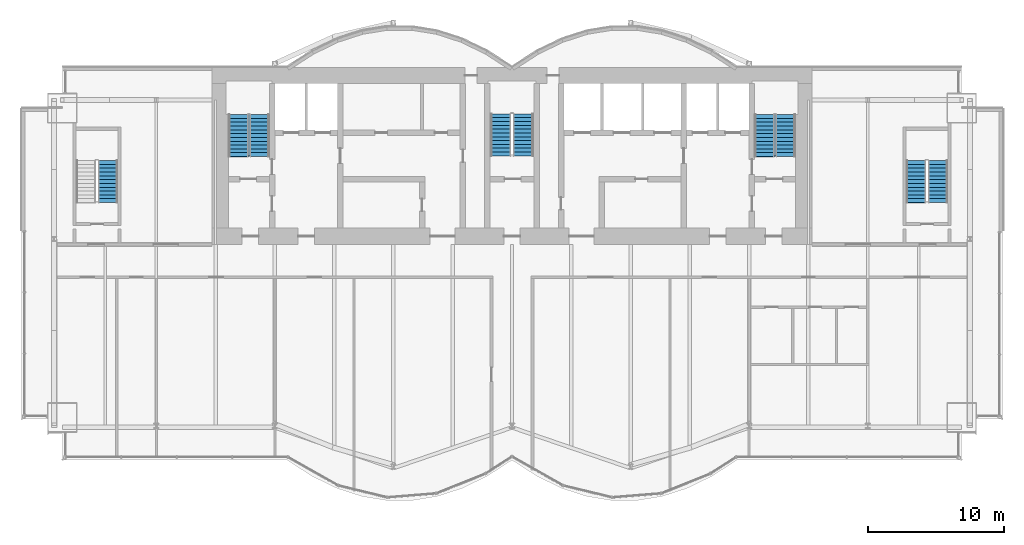
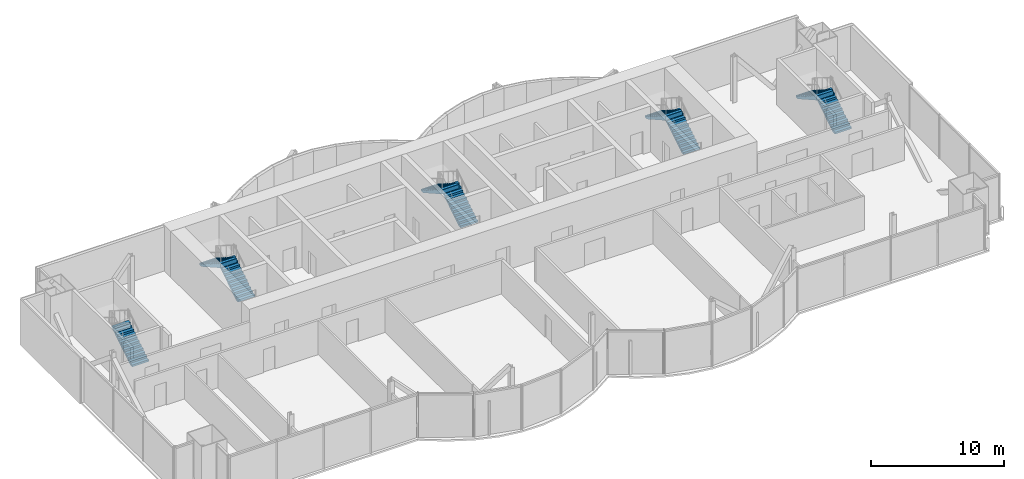
# One storey, part 16 of 19: 9 stair flights, 5 elements without a shape of their own.
"""IFC4 building model written with IfcOpenShell, lengths in metres."""

from ifc_helpers import new_model, si_unit, direction, frame, origin, place, context, subcontext, project, spatial, polyline, outline, extrude, material, type_object, element, aggregate, save


model = new_model("IFC4")

# Units and contexts
model_context = context("Model", 3, precision=1e-05, world=origin(), true_north=direction((0.0, 1.0)))
body_context = subcontext(model_context, "Body", "Model", "MODEL_VIEW")
ifc_project = project(units=[si_unit("LENGTHUNIT", "METRE"), si_unit("AREAUNIT", "SQUARE_METRE"), si_unit("VOLUMEUNIT", "CUBIC_METRE"), si_unit("PLANEANGLEUNIT", "RADIAN"), si_unit("MASSUNIT", "GRAM", prefix="KILO")], contexts=[model_context])

# Site, building, storey
site_placement = place(None, origin())
site = spatial("IfcSite", under=ifc_project, at=site_placement, CompositionType="ELEMENT")
building_placement = place(site_placement, origin())
building = spatial("IfcBuilding", under=site, at=building_placement, Name="Bicima Exchange Tower", CompositionType="ELEMENT")
storey_placement = place(building_placement, frame((0.0, 0.0, 266.60009765625)))
storey = spatial("IfcBuildingStorey", under=building, at=storey_placement, Name="L60", CompositionType="ELEMENT", Elevation=266.60009765625)

# Stair, stair flights
ifc_material = material(Name="Concrete C50/60", Category="concrete")
stair_type_1 = type_object("IfcStairType", Name="Exit stair", PredefinedType="HALF_TURN_STAIR", material=ifc_material)
stair_1_placement = place(storey_placement, origin())
stair_1 = element("IfcStair", 1, at=stair_1_placement, inside=storey, type_object=stair_type_1, Name="L60 West exit stair", PredefinedType="HALF_TURN_STAIR")
stair_flight_type_1 = type_object("IfcStairFlightType", Name="Stair flight RC", PredefinedType="STRAIGHT", material=ifc_material)
stair_flight_1_placement = place(storey_placement, frame((-18.52490234375, -6.550048828125, 0.0), z_axis=(0.0, 0.0, 1.0), x_axis=(0.0, 1.0, 0.0)))
stair_flight_1 = element("IfcStairFlight", 2, at=stair_flight_1_placement, type_object=stair_flight_type_1, Name="ST-W flight 1", NumberOfRisers=12, NumberOfTreads=11, PredefinedType="STRAIGHT", RiserHeight=0.175, TreadLength=0.28, context=body_context, shape_type="SweptSolid", body=[
    extrude(outline(polyline([(0.0, 0.0), (0.0, 0.175048828125), (0.280029296875, 0.175048828125), (0.280029296875, 0.35009765625), (0.56005859375, 0.35009765625), (0.56005859375, 0.52490234375), (0.840087890625, 0.52490234375), (0.840087890625, 0.699951171875), (1.1201171875, 0.699951171875), (1.1201171875, 0.875), (1.39990234375, 0.875), (1.39990234375, 1.050048828125), (1.679931640625, 1.050048828125), (1.679931640625, 1.22509765625), (1.9599609375, 1.22509765625), (1.9599609375, 1.39990234375), (2.239990234375, 1.39990234375), (2.239990234375, 1.574951171875), (2.52001953125, 1.574951171875), (2.52001953125, 1.75), (2.800048828125, 1.75), (2.800048828125, 1.925048828125), (3.080078125, 1.925048828125), (3.080078125, 2.10009765625), (3.080078125, 1.748291015625), (0.28271484375, 0.0), (0.0, 0.0)])), frame((0.0, 0.72509765625, 0.0), z_axis=(0.0, -1.0, 0.0), x_axis=(1.0, 0.0, 0.0)), (0.0, 0.0, 1.0), 1.449951171875),
])
stair_flight_2_placement = place(storey_placement, frame((-20.074951171875, -3.469970703125, 2.099853515625), z_axis=(0.0, 0.0, 1.0), x_axis=(0.0, -1.0, 0.0)))
stair_flight_2 = element("IfcStairFlight", 3, at=stair_flight_2_placement, type_object=stair_flight_type_1, Name="ST-W flight 2", NumberOfRisers=12, NumberOfTreads=11, PredefinedType="STRAIGHT", RiserHeight=0.175, TreadLength=0.28, context=body_context, shape_type="SweptSolid", body=[
    extrude(outline(polyline([(0.0, 0.0), (0.0, 0.175048828125), (0.280029296875, 0.175048828125), (0.280029296875, 0.35009765625), (0.56005859375, 0.35009765625), (0.56005859375, 0.52490234375), (0.840087890625, 0.52490234375), (0.840087890625, 0.699951171875), (1.1201171875, 0.699951171875), (1.1201171875, 0.875), (1.39990234375, 0.875), (1.39990234375, 1.050048828125), (1.679931640625, 1.050048828125), (1.679931640625, 1.22509765625), (1.9599609375, 1.22509765625), (1.9599609375, 1.39990234375), (2.239990234375, 1.39990234375), (2.239990234375, 1.574951171875), (2.52001953125, 1.574951171875), (2.52001953125, 1.75), (2.800048828125, 1.75), (2.800048828125, 1.925048828125), (3.080078125, 1.925048828125), (3.080078125, 1.9541015625), (3.094970703125, 1.9541015625), (3.094970703125, 1.58251953125), (0.28271484375, 0.0), (0.0, 0.0)])), frame((0.0, 0.72509765625, 0.0), z_axis=(0.0, -1.0, 0.0), x_axis=(1.0, 0.0, 0.0)), (0.0, 0.0, 1.0), 1.449951171875),
])
aggregate(stair_1, [stair_flight_1, stair_flight_2])

stair_2_placement = place(storey_placement, origin())
stair_2 = element("IfcStair", 4, at=stair_2_placement, inside=storey, type_object=stair_type_1, Name="L60 East exit stair", PredefinedType="HALF_TURN_STAIR")
stair_flight_3_placement = place(storey_placement, frame((20.074951171875, -6.550048828125, 0.0), z_axis=(0.0, 0.0, 1.0), x_axis=(0.0, 1.0, 0.0)))
stair_flight_3 = element("IfcStairFlight", 5, at=stair_flight_3_placement, type_object=stair_flight_type_1, Name="ST-E flight 1", NumberOfRisers=12, NumberOfTreads=11, PredefinedType="STRAIGHT", RiserHeight=0.175, TreadLength=0.28, context=body_context, shape_type="SweptSolid", body=[
    extrude(outline(polyline([(0.0, 0.0), (0.0, 0.175048828125), (0.280029296875, 0.175048828125), (0.280029296875, 0.35009765625), (0.56005859375, 0.35009765625), (0.56005859375, 0.52490234375), (0.840087890625, 0.52490234375), (0.840087890625, 0.699951171875), (1.1201171875, 0.699951171875), (1.1201171875, 0.875), (1.39990234375, 0.875), (1.39990234375, 1.050048828125), (1.679931640625, 1.050048828125), (1.679931640625, 1.22509765625), (1.9599609375, 1.22509765625), (1.9599609375, 1.39990234375), (2.239990234375, 1.39990234375), (2.239990234375, 1.574951171875), (2.52001953125, 1.574951171875), (2.52001953125, 1.75), (2.800048828125, 1.75), (2.800048828125, 1.925048828125), (3.080078125, 1.925048828125), (3.080078125, 2.10009765625), (3.080078125, 1.748291015625), (0.28271484375, 0.0), (0.0, 0.0)])), frame((0.0, 0.72509765625, 0.0), z_axis=(0.0, -1.0, 0.0), x_axis=(1.0, 0.0, 0.0)), (0.0, 0.0, 1.0), 1.449951171875),
])
stair_flight_4_placement = place(storey_placement, frame((18.52490234375, -3.469970703125, 2.099853515625), z_axis=(0.0, 0.0, 1.0), x_axis=(0.0, -1.0, 0.0)))
stair_flight_4 = element("IfcStairFlight", 6, at=stair_flight_4_placement, type_object=stair_flight_type_1, Name="ST-E flight 2", NumberOfRisers=12, NumberOfTreads=11, PredefinedType="STRAIGHT", RiserHeight=0.175, TreadLength=0.28, context=body_context, shape_type="SweptSolid", body=[
    extrude(outline(polyline([(0.0, 0.0), (0.0, 0.175048828125), (0.280029296875, 0.175048828125), (0.280029296875, 0.35009765625), (0.56005859375, 0.35009765625), (0.56005859375, 0.52490234375), (0.840087890625, 0.52490234375), (0.840087890625, 0.699951171875), (1.1201171875, 0.699951171875), (1.1201171875, 0.875), (1.39990234375, 0.875), (1.39990234375, 1.050048828125), (1.679931640625, 1.050048828125), (1.679931640625, 1.22509765625), (1.9599609375, 1.22509765625), (1.9599609375, 1.39990234375), (2.239990234375, 1.39990234375), (2.239990234375, 1.574951171875), (2.52001953125, 1.574951171875), (2.52001953125, 1.75), (2.800048828125, 1.75), (2.800048828125, 1.925048828125), (3.080078125, 1.925048828125), (3.080078125, 1.9541015625), (3.094970703125, 1.9541015625), (3.094970703125, 1.58251953125), (0.28271484375, 0.0), (0.0, 0.0)])), frame((0.0, 0.72509765625, 0.0), z_axis=(0.0, -1.0, 0.0), x_axis=(1.0, 0.0, 0.0)), (0.0, 0.0, 1.0), 1.449951171875),
])
aggregate(stair_2, [stair_flight_3, stair_flight_4])

# Stair, stair flight
stair_3_placement = place(storey_placement, origin())
stair_3 = element("IfcStair", 7, at=stair_3_placement, inside=storey, type_object=stair_type_1, Name="L60 West end exit stair", PredefinedType="HALF_TURN_STAIR")
stair_flight_5_placement = place(storey_placement, frame((-29.64990234375, -9.925048828125, 0.0), z_axis=(0.0, 0.0, 1.0), x_axis=(0.0, 1.0, 0.0)))
stair_flight_5 = element("IfcStairFlight", 8, at=stair_flight_5_placement, type_object=stair_flight_type_1, Name="ST-WW flight 1", NumberOfRisers=12, NumberOfTreads=11, PredefinedType="STRAIGHT", RiserHeight=0.175, TreadLength=0.28, context=body_context, shape_type="SweptSolid", body=[
    extrude(outline(polyline([(0.0, 0.0), (0.0, 0.175048828125), (0.280029296875, 0.175048828125), (0.280029296875, 0.35009765625), (0.56005859375, 0.35009765625), (0.56005859375, 0.52490234375), (0.840087890625, 0.52490234375), (0.840087890625, 0.699951171875), (1.1201171875, 0.699951171875), (1.1201171875, 0.875), (1.39990234375, 0.875), (1.39990234375, 1.050048828125), (1.679931640625, 1.050048828125), (1.679931640625, 1.22509765625), (1.9599609375, 1.22509765625), (1.9599609375, 1.39990234375), (2.239990234375, 1.39990234375), (2.239990234375, 1.574951171875), (2.52001953125, 1.574951171875), (2.52001953125, 1.75), (2.800048828125, 1.75), (2.800048828125, 1.925048828125), (3.080078125, 1.925048828125), (3.080078125, 2.10009765625), (3.080078125, 1.748291015625), (0.28271484375, 0.0), (0.0, 0.0)])), frame((0.0, 0.72509765625, 0.0), z_axis=(0.0, -1.0, 0.0), x_axis=(1.0, 0.0, 0.0)), (0.0, 0.0, 1.0), 1.449951171875),
])
aggregate(stair_3, [stair_flight_5])

# Stair, stair flights
stair_4_placement = place(storey_placement, origin())
stair_4 = element("IfcStair", 9, at=stair_4_placement, inside=storey, type_object=stair_type_1, Name="L60 East end exit stair", PredefinedType="HALF_TURN_STAIR")
stair_flight_6_placement = place(storey_placement, frame((31.25, -9.925048828125, 0.0), z_axis=(0.0, 0.0, 1.0), x_axis=(0.0, 1.0, 0.0)))
stair_flight_6 = element("IfcStairFlight", 10, at=stair_flight_6_placement, type_object=stair_flight_type_1, Name="ST-EE flight 1", NumberOfRisers=12, NumberOfTreads=11, PredefinedType="STRAIGHT", RiserHeight=0.175, TreadLength=0.28, context=body_context, shape_type="SweptSolid", body=[
    extrude(outline(polyline([(0.0, 0.0), (0.0, 0.175048828125), (0.280029296875, 0.175048828125), (0.280029296875, 0.35009765625), (0.56005859375, 0.35009765625), (0.56005859375, 0.52490234375), (0.840087890625, 0.52490234375), (0.840087890625, 0.699951171875), (1.1201171875, 0.699951171875), (1.1201171875, 0.875), (1.39990234375, 0.875), (1.39990234375, 1.050048828125), (1.679931640625, 1.050048828125), (1.679931640625, 1.22509765625), (1.9599609375, 1.22509765625), (1.9599609375, 1.39990234375), (2.239990234375, 1.39990234375), (2.239990234375, 1.574951171875), (2.52001953125, 1.574951171875), (2.52001953125, 1.75), (2.800048828125, 1.75), (2.800048828125, 1.925048828125), (3.080078125, 1.925048828125), (3.080078125, 2.10009765625), (3.080078125, 1.748291015625), (0.28271484375, 0.0), (0.0, 0.0)])), frame((0.0, 0.72509765625, 0.0), z_axis=(0.0, -1.0, 0.0), x_axis=(1.0, 0.0, 0.0)), (0.0, 0.0, 1.0), 1.449951171875),
])
stair_flight_7_placement = place(storey_placement, frame((29.64990234375, -6.844970703125, 2.099853515625), z_axis=(0.0, 0.0, 1.0), x_axis=(0.0, -1.0, 0.0)))
stair_flight_7 = element("IfcStairFlight", 11, at=stair_flight_7_placement, type_object=stair_flight_type_1, Name="ST-EE flight 2", NumberOfRisers=12, NumberOfTreads=11, PredefinedType="STRAIGHT", RiserHeight=0.175, TreadLength=0.28, context=body_context, shape_type="SweptSolid", body=[
    extrude(outline(polyline([(0.0, 0.0), (0.0, 0.175048828125), (0.280029296875, 0.175048828125), (0.280029296875, 0.35009765625), (0.56005859375, 0.35009765625), (0.56005859375, 0.52490234375), (0.840087890625, 0.52490234375), (0.840087890625, 0.699951171875), (1.1201171875, 0.699951171875), (1.1201171875, 0.875), (1.39990234375, 0.875), (1.39990234375, 1.050048828125), (1.679931640625, 1.050048828125), (1.679931640625, 1.22509765625), (1.9599609375, 1.22509765625), (1.9599609375, 1.39990234375), (2.239990234375, 1.39990234375), (2.239990234375, 1.574951171875), (2.52001953125, 1.574951171875), (2.52001953125, 1.75), (2.800048828125, 1.75), (2.800048828125, 1.925048828125), (3.080078125, 1.925048828125), (3.080078125, 1.9541015625), (3.094970703125, 1.9541015625), (3.094970703125, 1.58251953125), (0.28271484375, 0.0), (0.0, 0.0)])), frame((0.0, 0.72509765625, 0.0), z_axis=(0.0, -1.0, 0.0), x_axis=(1.0, 0.0, 0.0)), (0.0, 0.0, 1.0), 1.449951171875),
])
aggregate(stair_4, [stair_flight_6, stair_flight_7])

stair_type_2 = type_object("IfcStairType", Name="Exit stair 1500", PredefinedType="HALF_TURN_STAIR", material=ifc_material)
stair_5_placement = place(storey_placement, origin())
stair_5 = element("IfcStair", 12, at=stair_5_placement, inside=storey, type_object=stair_type_2, Name="L60 Central exit stair", PredefinedType="HALF_TURN_STAIR")
stair_flight_type_2 = type_object("IfcStairFlightType", Name="Stair flight RC 1500", PredefinedType="STRAIGHT", material=ifc_material)
stair_flight_8_placement = place(storey_placement, frame((0.824951171875, -6.5, 0.0), z_axis=(0.0, 0.0, 1.0), x_axis=(0.0, 1.0, 0.0)))
stair_flight_8 = element("IfcStairFlight", 13, at=stair_flight_8_placement, type_object=stair_flight_type_2, Name="ST-C flight 1", NumberOfRisers=12, NumberOfTreads=11, PredefinedType="STRAIGHT", RiserHeight=0.175, TreadLength=0.28, context=body_context, shape_type="SweptSolid", body=[
    extrude(outline(polyline([(0.0, 0.0), (0.0, 0.175048828125), (0.280029296875, 0.175048828125), (0.280029296875, 0.35009765625), (0.56005859375, 0.35009765625), (0.56005859375, 0.52490234375), (0.840087890625, 0.52490234375), (0.840087890625, 0.699951171875), (1.1201171875, 0.699951171875), (1.1201171875, 0.875), (1.39990234375, 0.875), (1.39990234375, 1.050048828125), (1.679931640625, 1.050048828125), (1.679931640625, 1.22509765625), (1.9599609375, 1.22509765625), (1.9599609375, 1.39990234375), (2.239990234375, 1.39990234375), (2.239990234375, 1.574951171875), (2.52001953125, 1.574951171875), (2.52001953125, 1.75), (2.800048828125, 1.75), (2.800048828125, 1.925048828125), (3.080078125, 1.925048828125), (3.080078125, 2.10009765625), (3.080078125, 1.748291015625), (0.28271484375, 0.0), (0.0, 0.0)])), frame((0.0, 0.75, 0.0), z_axis=(0.0, -1.0, 0.0), x_axis=(1.0, 0.0, 0.0)), (0.0, 0.0, 1.0), 1.5),
])
stair_flight_9_placement = place(storey_placement, frame((-0.824951171875, -3.419921875, 2.099853515625), z_axis=(0.0, 0.0, 1.0), x_axis=(0.0, -1.0, 0.0)))
stair_flight_9 = element("IfcStairFlight", 14, at=stair_flight_9_placement, type_object=stair_flight_type_2, Name="ST-C flight 2", NumberOfRisers=12, NumberOfTreads=11, PredefinedType="STRAIGHT", RiserHeight=0.175, TreadLength=0.28, context=body_context, shape_type="SweptSolid", body=[
    extrude(outline(polyline([(0.0, 0.0), (0.0, 0.175048828125), (0.280029296875, 0.175048828125), (0.280029296875, 0.35009765625), (0.56005859375, 0.35009765625), (0.56005859375, 0.52490234375), (0.840087890625, 0.52490234375), (0.840087890625, 0.699951171875), (1.1201171875, 0.699951171875), (1.1201171875, 0.875), (1.39990234375, 0.875), (1.39990234375, 1.050048828125), (1.679931640625, 1.050048828125), (1.679931640625, 1.22509765625), (1.9599609375, 1.22509765625), (1.9599609375, 1.39990234375), (2.239990234375, 1.39990234375), (2.239990234375, 1.574951171875), (2.52001953125, 1.574951171875), (2.52001953125, 1.75), (2.800048828125, 1.75), (2.800048828125, 1.925048828125), (3.080078125, 1.925048828125), (3.080078125, 1.9541015625), (3.094970703125, 1.9541015625), (3.094970703125, 1.58251953125), (0.28271484375, 0.0), (0.0, 0.0)])), frame((0.0, 0.75, 0.0), z_axis=(0.0, -1.0, 0.0), x_axis=(1.0, 0.0, 0.0)), (0.0, 0.0, 1.0), 1.5),
])
aggregate(stair_5, [stair_flight_8, stair_flight_9])

save(model, "model.ifc")
